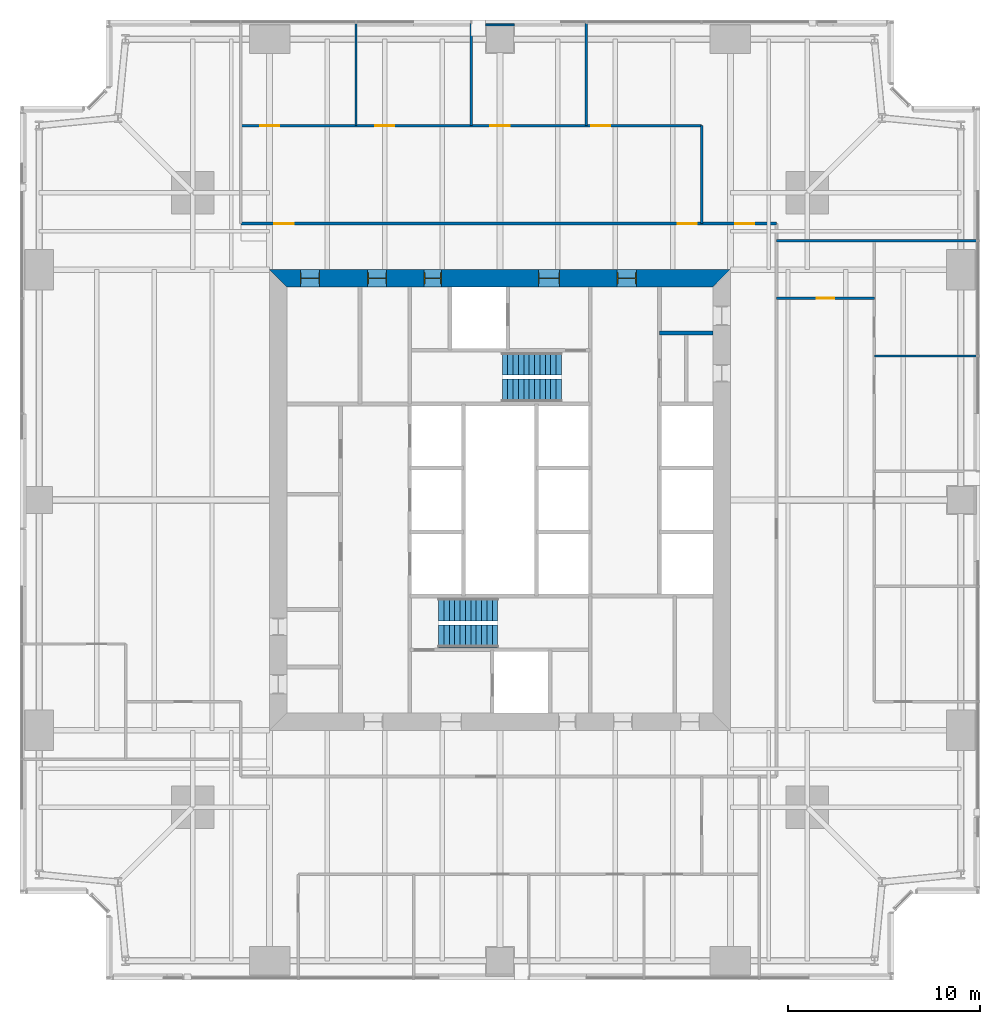
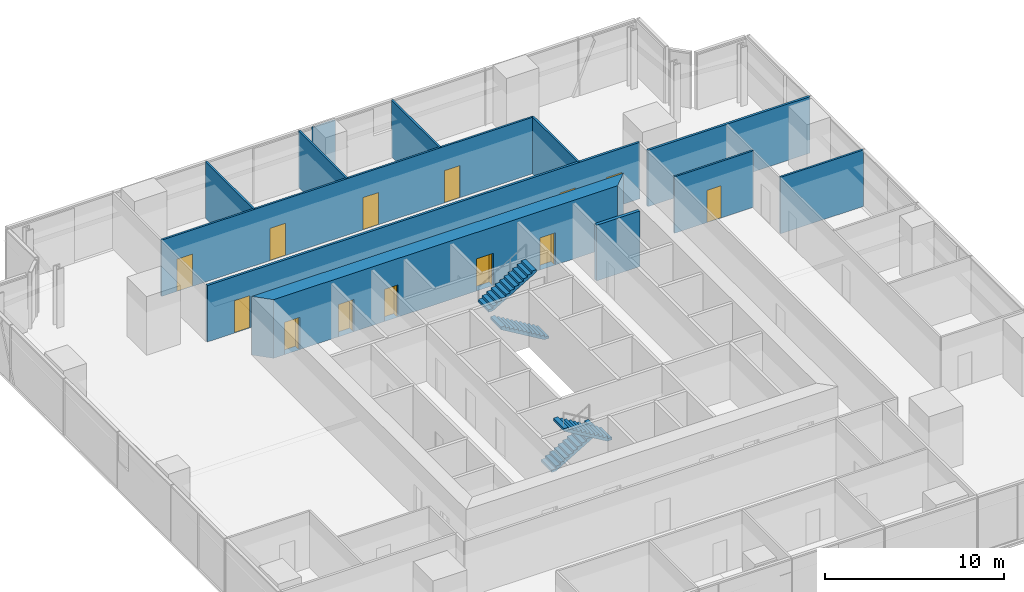
# One storey, part 11 of 13: 13 doors, 12 walls, 4 stair flights, 13 openings, 2 elements without a shape of their own.
"""IFC4 building model written with IfcOpenShell, lengths in metres."""

from ifc_helpers import new_model, si_unit, direction, frame, frame_2d, origin, place, context, subcontext, project, spatial, polyline, rectangle, outline, extrude, material, layer, layer_set, type_object, element, fill, aggregate, save


model = new_model("IFC4")

# Units and contexts
model_context = context("Model", 3, precision=1e-05, world=origin(), true_north=direction((0.0, 1.0)))
body_context = subcontext(model_context, "Body", "Model", "MODEL_VIEW")
ifc_project = project(units=[si_unit("LENGTHUNIT", "METRE"), si_unit("AREAUNIT", "SQUARE_METRE"), si_unit("VOLUMEUNIT", "CUBIC_METRE"), si_unit("PLANEANGLEUNIT", "RADIAN"), si_unit("MASSUNIT", "GRAM", prefix="KILO")], contexts=[model_context])

# Site, building, storey
site_placement = place(None, origin())
site = spatial("IfcSite", under=ifc_project, at=site_placement, CompositionType="ELEMENT")
building_placement = place(site_placement, origin())
building = spatial("IfcBuilding", under=site, at=building_placement, Name="Fenwick Lantern Interchange", CompositionType="ELEMENT")
storey_placement = place(building_placement, frame((0.0, 0.0, 110.39990234375)))
storey = spatial("IfcBuildingStorey", under=building, at=storey_placement, Name="L25", CompositionType="ELEMENT", Elevation=110.39990234375)

# Walls
ifc_material_1 = material(Name="Fire-rated gypsum board encasement on steel studs, 2 hour", Category="steel")
ifc_layer_1 = layer(ifc_material_1, 1.5)
ifc_layer_set_1 = layer_set([ifc_layer_1], Name="COLUMN PIER 1500")
wall_type_1 = type_object("IfcWallType", Name="COLUMN PIER 1500", PredefinedType="PARTITIONING", material=ifc_layer_set_1)
wall_1_placement = place(storey_placement, frame((25.0, 49.800048828125, 0.0), z_axis=(0.0, 0.0, 1.0), x_axis=(0.0, -1.0, 0.0)))
element("IfcWall", 1, at=wall_1_placement, inside=storey, type_object=wall_type_1, Name="L25/W/PIER/CN3", PredefinedType="PARTITIONING", context=body_context, shape_type="SweptSolid", body=[
    extrude(rectangle(XDim=0.10009765625, YDim=1.5, at=frame_2d((0.050048828125, 0.0))), origin(), (0.0, 0.0, 1.0), 3.85009765625),
])
ifc_material_2 = material(Name="Concrete masonry ASTM C90 Grade N", Category="masonry")
ifc_layer_2 = layer(ifc_material_2, 0.199951171875)
ifc_layer_set_2 = layer_set([ifc_layer_2], Name="Concrete masonry ASTM C90 Grade N")
wall_type_2 = type_object("IfcWallType", Name="CORE PARTITION 200", PredefinedType="PARTITIONING", material=ifc_layer_set_2)
wall_2_placement = place(storey_placement, frame((36.10009765625, 33.699951171875, 0.0), z_axis=(0.0, 0.0, 1.0), x_axis=(-1.0, 0.0, 0.0)))
element("IfcWall", 2, at=wall_2_placement, inside=storey, type_object=wall_type_2, Name="L25/W/COREN/p1", PredefinedType="PARTITIONING", context=body_context, shape_type="SweptSolid", body=[
    extrude(rectangle(XDim=2.800048828125, YDim=0.199951171875, at=frame_2d((1.39990234375, 0.0))), origin(), (0.0, 0.0, 1.0), 3.800048828125),
])

# Wall, openings, doors
ifc_material_3 = material(Name="Concrete f'c 70 MPa", Category="concrete")
ifc_layer_3 = layer(ifc_material_3, 0.89990234375)
ifc_layer_set_3 = layer_set([ifc_layer_3], Name="CORE WALL 900")
wall_type_3 = type_object("IfcWallType", Name="CORE WALL 900", PredefinedType="SHEAR", material=ifc_layer_set_3)
wall_3_placement = place(storey_placement, frame((37.0, 36.550048828125, 0.0), z_axis=(0.0, 0.0, 1.0), x_axis=(-1.0, 0.0, 0.0)))
wall_3 = element("IfcWall", 3, at=wall_3_placement, inside=storey, type_object=wall_type_3, Name="L25/CORE/N", PredefinedType="SHEAR", context=body_context, shape_type="SweptSolid", body=[
    extrude(outline(polyline([(0.0, -0.449951171875), (24.0, -0.449951171875), (23.10009765625, 0.449951171875), (0.89990234375, 0.449951171875), (0.0, -0.449951171875)])), origin(), (0.0, 0.0, 1.0), 4.0),
])
opening_1_placement = place(wall_3_placement, frame((4.89990234375, 0.0, 0.0)))
opening_1 = element("IfcOpeningElement", 4, at=opening_1_placement, cuts=wall_3, Name="Opening L25-D011", PredefinedType="OPENING", context=body_context, shape_type="SweptSolid", body=[
    extrude(rectangle(XDim=1.0, YDim=2.199951171875, at=frame_2d((0.5, 1.10009765625))), frame((0.0, 0.4599609375, 0.0), z_axis=(0.0, -1.0, 0.0), x_axis=(1.0, 0.0, 0.0)), (0.0, 0.0, 1.0), 0.919921875),
])
opening_2_placement = place(wall_3_placement, frame((8.89990234375, 0.0, 0.0)))
opening_2 = element("IfcOpeningElement", 5, at=opening_2_placement, cuts=wall_3, Name="Opening L25-D012", PredefinedType="OPENING", context=body_context, shape_type="SweptSolid", body=[
    extrude(rectangle(XDim=1.10009765625, YDim=2.199951171875, at=frame_2d((0.550048828125, 1.10009765625))), frame((0.0, 0.4599609375, 0.0), z_axis=(0.0, -1.0, 0.0), x_axis=(1.0, 0.0, 0.0)), (0.0, 0.0, 1.0), 0.919921875),
])
opening_3_placement = place(wall_3_placement, frame((15.050048828125, 0.0, 0.0)))
opening_3 = element("IfcOpeningElement", 6, at=opening_3_placement, cuts=wall_3, Name="Opening L25-D014", PredefinedType="OPENING", context=body_context, shape_type="SweptSolid", body=[
    extrude(rectangle(XDim=0.89990234375, YDim=2.199951171875, at=frame_2d((0.449951171875, 1.10009765625))), frame((0.0, 0.4599609375, 0.0), z_axis=(0.0, -1.0, 0.0), x_axis=(1.0, 0.0, 0.0)), (0.0, 0.0, 1.0), 0.919921875),
])
opening_4_placement = place(wall_3_placement, frame((17.89990234375, 0.0, 0.0)))
opening_4 = element("IfcOpeningElement", 7, at=opening_4_placement, cuts=wall_3, Name="Opening L25-D015", PredefinedType="OPENING", context=body_context, shape_type="SweptSolid", body=[
    extrude(rectangle(XDim=1.0, YDim=2.199951171875, at=frame_2d((0.5, 1.10009765625))), frame((0.0, 0.4599609375, 0.0), z_axis=(0.0, -1.0, 0.0), x_axis=(1.0, 0.0, 0.0)), (0.0, 0.0, 1.0), 0.919921875),
])
opening_5_placement = place(wall_3_placement, frame((21.39990234375, 0.0, 0.0)))
opening_5 = element("IfcOpeningElement", 8, at=opening_5_placement, cuts=wall_3, Name="Opening L25-D016", PredefinedType="OPENING", context=body_context, shape_type="SweptSolid", body=[
    extrude(rectangle(XDim=1.0, YDim=2.199951171875, at=frame_2d((0.5, 1.10009765625))), frame((0.0, 0.4599609375, 0.0), z_axis=(0.0, -1.0, 0.0), x_axis=(1.0, 0.0, 0.0)), (0.0, 0.0, 1.0), 0.919921875),
])
ifc_material_4 = material(Name="Steel door and frame", Category="steel")
door_type_1 = type_object("IfcDoorType", Name="CORE LOBBY DOOR 1000 X 2200", OperationType="SINGLE_SWING_LEFT", PredefinedType="DOOR", material=ifc_material_4)
door_1_placement = place(opening_1_placement, origin())
door_1 = element("IfcDoor", 9, at=door_1_placement, inside=storey, type_object=door_type_1, Name="Core lobby door", OperationType="SINGLE_SWING_LEFT", OverallHeight=2.199951171875, OverallWidth=1.0, PredefinedType="DOOR", context=body_context, shape_type="SweptSolid", body=[
    extrude(rectangle(XDim=1.0, YDim=2.199951171875, at=frame_2d((0.5, 1.10009765625))), frame((0.0, 0.02490234375, 0.0), z_axis=(0.0, -1.0, 0.0), x_axis=(1.0, 0.0, 0.0)), (0.0, 0.0, 1.0), 0.050048828125),
    extrude(outline(polyline([(0.0, 0.0), (0.0400390625, 0.0), (0.0400390625, 2.159912109375), (0.9599609375, 2.159912109375), (0.9599609375, 0.0), (1.0, 0.0), (1.0, 2.199951171875), (0.0, 2.199951171875), (0.0, 0.0)])), frame((0.0, 0.300048828125, 0.0), z_axis=(0.0, -1.0, 0.0), x_axis=(1.0, 0.0, 0.0)), (0.0, 0.0, 1.0), 0.60009765625),
])
fill(opening_1, door_1)
door_type_2 = type_object("IfcDoorType", Name="FIRE LOBBY DOOR 1100 X 2200", OperationType="SINGLE_SWING_LEFT", PredefinedType="DOOR", material=ifc_material_4)
door_2_placement = place(opening_2_placement, origin())
door_2 = element("IfcDoor", 10, at=door_2_placement, inside=storey, type_object=door_type_2, Name="Fire lobby door", OperationType="SINGLE_SWING_LEFT", OverallHeight=2.199951171875, OverallWidth=1.10009765625, PredefinedType="DOOR", context=body_context, shape_type="SweptSolid", body=[
    extrude(rectangle(XDim=1.10009765625, YDim=2.199951171875, at=frame_2d((0.550048828125, 1.10009765625))), frame((0.0, 0.02490234375, 0.0), z_axis=(0.0, -1.0, 0.0), x_axis=(1.0, 0.0, 0.0)), (0.0, 0.0, 1.0), 0.050048828125),
    extrude(outline(polyline([(0.0, 0.0), (0.0400390625, 0.0), (0.0400390625, 2.159912109375), (1.06005859375, 2.159912109375), (1.06005859375, 0.0), (1.10009765625, 0.0), (1.10009765625, 2.199951171875), (0.0, 2.199951171875), (0.0, 0.0)])), frame((0.0, 0.300048828125, 0.0), z_axis=(0.0, -1.0, 0.0), x_axis=(1.0, 0.0, 0.0)), (0.0, 0.0, 1.0), 0.60009765625),
])
fill(opening_2, door_2)
door_type_3 = type_object("IfcDoorType", Name="SERVICE DOOR 900 X 2200", OperationType="SINGLE_SWING_LEFT", PredefinedType="DOOR", material=ifc_material_4)
door_3_placement = place(opening_3_placement, origin())
door_3 = element("IfcDoor", 11, at=door_3_placement, inside=storey, type_object=door_type_3, Name="Service door", OperationType="SINGLE_SWING_LEFT", OverallHeight=2.199951171875, OverallWidth=0.89990234375, PredefinedType="DOOR", context=body_context, shape_type="SweptSolid", body=[
    extrude(rectangle(XDim=0.89990234375, YDim=2.199951171875, at=frame_2d((0.449951171875, 1.10009765625))), frame((0.0, 0.02490234375, 0.0), z_axis=(0.0, -1.0, 0.0), x_axis=(1.0, 0.0, 0.0)), (0.0, 0.0, 1.0), 0.050048828125),
    extrude(outline(polyline([(0.0, 0.0), (0.0400390625, 0.0), (0.0400390625, 2.159912109375), (0.85986328125, 2.159912109375), (0.85986328125, 0.0), (0.89990234375, 0.0), (0.89990234375, 2.199951171875), (0.0, 2.199951171875), (0.0, 0.0)])), frame((0.0, 0.300048828125, 0.0), z_axis=(0.0, -1.0, 0.0), x_axis=(1.0, 0.0, 0.0)), (0.0, 0.0, 1.0), 0.60009765625),
])
fill(opening_3, door_3)
ifc_material_5 = material(Name="Hardwood door and steel frame", Category="steel")
door_type_4 = type_object("IfcDoorType", Name="WC DOOR 1000 X 2200", OperationType="SINGLE_SWING_LEFT", PredefinedType="DOOR", material=ifc_material_5)
door_4_placement = place(opening_4_placement, origin())
door_4 = element("IfcDoor", 12, at=door_4_placement, inside=storey, type_object=door_type_4, Name="Wc door", OperationType="SINGLE_SWING_RIGHT", OverallHeight=2.199951171875, OverallWidth=1.0, PredefinedType="DOOR", context=body_context, shape_type="SweptSolid", body=[
    extrude(rectangle(XDim=1.0, YDim=2.199951171875, at=frame_2d((0.5, 1.10009765625))), frame((0.0, 0.02490234375, 0.0), z_axis=(0.0, -1.0, 0.0), x_axis=(1.0, 0.0, 0.0)), (0.0, 0.0, 1.0), 0.050048828125),
    extrude(outline(polyline([(0.0, 0.0), (0.0400390625, 0.0), (0.0400390625, 2.159912109375), (0.9599609375, 2.159912109375), (0.9599609375, 0.0), (1.0, 0.0), (1.0, 2.199951171875), (0.0, 2.199951171875), (0.0, 0.0)])), frame((0.0, 0.300048828125, 0.0), z_axis=(0.0, -1.0, 0.0), x_axis=(1.0, 0.0, 0.0)), (0.0, 0.0, 1.0), 0.60009765625),
])
fill(opening_4, door_4)
door_5_placement = place(opening_5_placement, origin())
door_5 = element("IfcDoor", 13, at=door_5_placement, inside=storey, type_object=door_type_4, Name="Wc door", OperationType="SINGLE_SWING_RIGHT", OverallHeight=2.199951171875, OverallWidth=1.0, PredefinedType="DOOR", context=body_context, shape_type="SweptSolid", body=[
    extrude(rectangle(XDim=1.0, YDim=2.199951171875, at=frame_2d((0.5, 1.10009765625))), frame((0.0, 0.02490234375, 0.0), z_axis=(0.0, -1.0, 0.0), x_axis=(1.0, 0.0, 0.0)), (0.0, 0.0, 1.0), 0.050048828125),
    extrude(outline(polyline([(0.0, 0.0), (0.0400390625, 0.0), (0.0400390625, 2.159912109375), (0.9599609375, 2.159912109375), (0.9599609375, 0.0), (1.0, 0.0), (1.0, 2.199951171875), (0.0, 2.199951171875), (0.0, 0.0)])), frame((0.0, 0.300048828125, 0.0), z_axis=(0.0, -1.0, 0.0), x_axis=(1.0, 0.0, 0.0)), (0.0, 0.0, 1.0), 0.60009765625),
])
fill(opening_5, door_5)

ifc_material_6 = material(Name="Gypsum board on steel studs, 1 hour", Category="steel")
ifc_layer_4 = layer(ifc_material_6, 0.14990234375)
ifc_layer_set_4 = layer_set([ifc_layer_4], Name="CORRIDOR WALL 150")
wall_type_4 = type_object("IfcWallType", Name="CORRIDOR WALL 150", PredefinedType="PARTITIONING", material=ifc_layer_set_4)
wall_4_placement = place(storey_placement, frame((39.39990234375, 39.39990234375, 0.0), z_axis=(0.0, 0.0, 1.0), x_axis=(-1.0, 0.0, 0.0)))
wall_4 = element("IfcWall", 14, at=wall_4_placement, inside=storey, type_object=wall_type_4, Name="L25/W/OFF/N/CW2", PredefinedType="PARTITIONING", context=body_context, shape_type="SweptSolid", body=[
    extrude(rectangle(XDim=27.89990234375, YDim=0.14990234375, at=frame_2d((13.949951171875, 0.0))), origin(), (0.0, 0.0, 1.0), 3.85009765625),
])
opening_6_placement = place(wall_4_placement, frame((4.14990234375, 0.0, 0.0)))
opening_6 = element("IfcOpeningElement", 15, at=opening_6_placement, cuts=wall_4, Name="Opening L25-D032", PredefinedType="OPENING", context=body_context, shape_type="SweptSolid", body=[
    extrude(rectangle(XDim=1.0, YDim=2.199951171875, at=frame_2d((0.5, 1.10009765625))), frame((0.0, 0.0849609375, 0.0), z_axis=(0.0, -1.0, 0.0), x_axis=(1.0, 0.0, 0.0)), (0.0, 0.0, 1.0), 0.169921875),
])
opening_7_placement = place(wall_4_placement, frame((25.14990234375, 0.0, 0.0)))
opening_7 = element("IfcOpeningElement", 16, at=opening_7_placement, cuts=wall_4, Name="Opening L25-D033", PredefinedType="OPENING", context=body_context, shape_type="SweptSolid", body=[
    extrude(rectangle(XDim=1.0, YDim=2.199951171875, at=frame_2d((0.5, 1.10009765625))), frame((0.0, 0.0849609375, 0.0), z_axis=(0.0, -1.0, 0.0), x_axis=(1.0, 0.0, 0.0)), (0.0, 0.0, 1.0), 0.169921875),
])
opening_8_placement = place(wall_4_placement, frame((1.14990234375, 0.0, 0.0)))
opening_8 = element("IfcOpeningElement", 17, at=opening_8_placement, cuts=wall_4, Name="Opening L25-D035", PredefinedType="OPENING", context=body_context, shape_type="SweptSolid", body=[
    extrude(rectangle(XDim=1.0, YDim=2.199951171875, at=frame_2d((0.5, 1.10009765625))), frame((0.0, 0.0849609375, 0.0), z_axis=(0.0, -1.0, 0.0), x_axis=(1.0, 0.0, 0.0)), (0.0, 0.0, 1.0), 0.169921875),
])
door_type_5 = type_object("IfcDoorType", Name="MEETING ROOM DOOR 1000 X 2200", OperationType="SINGLE_SWING_LEFT", PredefinedType="DOOR", material=ifc_material_5)
door_6_placement = place(opening_8_placement, origin())
door_6 = element("IfcDoor", 18, at=door_6_placement, inside=storey, type_object=door_type_5, Name="Meeting room door", OperationType="SINGLE_SWING_LEFT", OverallHeight=2.199951171875, OverallWidth=1.0, PredefinedType="DOOR", context=body_context, shape_type="SweptSolid", body=[
    extrude(rectangle(XDim=1.0, YDim=2.199951171875, at=frame_2d((0.5, 1.10009765625))), frame((0.0, 0.02490234375, 0.0), z_axis=(0.0, -1.0, 0.0), x_axis=(1.0, 0.0, 0.0)), (0.0, 0.0, 1.0), 0.050048828125),
])
fill(opening_8, door_6)
door_type_6 = type_object("IfcDoorType", Name="SUITE ENTRANCE DOOR 1000 X 2200", OperationType="SINGLE_SWING_LEFT", PredefinedType="DOOR", material=ifc_material_4)
door_7_placement = place(opening_6_placement, origin())
door_7 = element("IfcDoor", 19, at=door_7_placement, inside=storey, type_object=door_type_6, Name="Suite entrance door", OperationType="SINGLE_SWING_LEFT", OverallHeight=2.199951171875, OverallWidth=1.0, PredefinedType="DOOR", context=body_context, shape_type="SweptSolid", body=[
    extrude(rectangle(XDim=1.0, YDim=2.199951171875, at=frame_2d((0.5, 1.10009765625))), frame((0.0, 0.02490234375, 0.0), z_axis=(0.0, -1.0, 0.0), x_axis=(1.0, 0.0, 0.0)), (0.0, 0.0, 1.0), 0.050048828125),
])
fill(opening_6, door_7)
door_8_placement = place(opening_7_placement, origin())
door_8 = element("IfcDoor", 20, at=door_8_placement, inside=storey, type_object=door_type_6, Name="Suite entrance door", OperationType="SINGLE_SWING_RIGHT", OverallHeight=2.199951171875, OverallWidth=1.0, PredefinedType="DOOR", context=body_context, shape_type="SweptSolid", body=[
    extrude(rectangle(XDim=1.0, YDim=2.199951171875, at=frame_2d((0.5, 1.10009765625))), frame((0.0, 0.02490234375, 0.0), z_axis=(0.0, -1.0, 0.0), x_axis=(1.0, 0.0, 0.0)), (0.0, 0.0, 1.0), 0.050048828125),
])
fill(opening_7, door_8)

# Wall
ifc_material_7 = material(Name="Gypsum board on steel studs, acoustic", Category="steel")
ifc_layer_5 = layer(ifc_material_7, 0.125)
ifc_layer_set_5 = layer_set([ifc_layer_5], Name="OFFICE PARTITION 125")
wall_type_5 = type_object("IfcWallType", Name="OFFICE PARTITION 125", PredefinedType="PARTITIONING", material=ifc_layer_set_5)
wall_5_placement = place(storey_placement, frame((49.85009765625, 32.5, 0.0), z_axis=(0.0, 0.0, 1.0), x_axis=(-1.0, 0.0, 0.0)))
element("IfcWall", 21, at=wall_5_placement, inside=storey, type_object=wall_type_5, Name="L25/W/OFF/E/X325-1", PredefinedType="PARTITIONING", context=body_context, shape_type="SweptSolid", body=[
    extrude(rectangle(XDim=5.35009765625, YDim=0.125, at=frame_2d((2.675048828125, 0.0))), origin(), (0.0, 0.0, 1.0), 3.85009765625),
])

# Wall, opening, door
wall_6_placement = place(storey_placement, frame((44.5, 35.5, 0.0), z_axis=(0.0, 0.0, 1.0), x_axis=(-1.0, 0.0, 0.0)))
wall_6 = element("IfcWall", 22, at=wall_6_placement, inside=storey, type_object=wall_type_5, Name="L25/W/OFF/E/X355-1", PredefinedType="PARTITIONING", context=body_context, shape_type="SweptSolid", body=[
    extrude(rectangle(XDim=5.10009765625, YDim=0.125, at=frame_2d((2.550048828125, 0.0))), origin(), (0.0, 0.0, 1.0), 3.85009765625),
])
opening_9_placement = place(wall_6_placement, frame((2.10009765625, 0.0, 0.0)))
opening_9 = element("IfcOpeningElement", 23, at=opening_9_placement, cuts=wall_6, Name="Opening L25-D031", PredefinedType="OPENING", context=body_context, shape_type="SweptSolid", body=[
    extrude(rectangle(XDim=0.89990234375, YDim=2.199951171875, at=frame_2d((0.449951171875, 1.10009765625))), frame((0.0, 0.072509765625, 0.0), z_axis=(0.0, -1.0, 0.0), x_axis=(1.0, 0.0, 0.0)), (0.0, 0.0, 1.0), 0.14501953125),
])
door_type_7 = type_object("IfcDoorType", Name="OFFICE DOOR 900 X 2200", OperationType="SINGLE_SWING_LEFT", PredefinedType="DOOR", material=ifc_material_5)
door_9_placement = place(opening_9_placement, frame((0.89990234375, 0.0, 0.0), z_axis=(0.0, 0.0, 1.0), x_axis=(-1.0, 0.0, 0.0)))
door_9 = element("IfcDoor", 24, at=door_9_placement, inside=storey, type_object=door_type_7, Name="Office door", OperationType="SINGLE_SWING_RIGHT", OverallHeight=2.199951171875, OverallWidth=0.89990234375, PredefinedType="DOOR", context=body_context, shape_type="SweptSolid", body=[
    extrude(rectangle(XDim=0.89990234375, YDim=2.199951171875, at=frame_2d((0.449951171875, 1.10009765625))), frame((0.0, 0.02490234375, 0.0), z_axis=(0.0, -1.0, 0.0), x_axis=(1.0, 0.0, 0.0)), (0.0, 0.0, 1.0), 0.050048828125),
])
fill(opening_9, door_9)

# Walls
wall_7_placement = place(storey_placement, frame((35.5, 44.5, 0.0), z_axis=(0.0, 0.0, 1.0), x_axis=(0.0, -1.0, 0.0)))
element("IfcWall", 25, at=wall_7_placement, inside=storey, type_object=wall_type_5, Name="L25/W/OFF/N/X145-1", PredefinedType="PARTITIONING", context=body_context, shape_type="SweptSolid", body=[
    extrude(rectangle(XDim=5.10009765625, YDim=0.125, at=frame_2d((2.550048828125, 0.0))), origin(), (0.0, 0.0, 1.0), 3.85009765625),
])
for number, where, z_axis, x_axis, name in (
    (26, (29.5, 49.85009765625, 0.0), (0.0, 0.0, 1.0), (0.0, -1.0, 0.0), "L25/W/OFF/N/X205-1"),
    (27, (23.5, 49.85009765625, 0.0), (0.0, 0.0, 1.0), (0.0, -1.0, 0.0), "L25/W/OFF/N/X265-1"),
    (28, (17.5, 49.85009765625, 0.0), (0.0, 0.0, 1.0), (0.0, -1.0, 0.0), "L25/W/OFF/N/X325-1"),
):
    element("IfcWall", number, at=place(storey_placement, frame(where, z_axis=z_axis, x_axis=x_axis)), inside=storey, type_object=wall_type_5, Name=name, PredefinedType="PARTITIONING", context=body_context, shape_type="SweptSolid", body=[
        extrude(rectangle(XDim=5.35009765625, YDim=0.125, at=frame_2d((2.675048828125, 0.0))), origin(), (0.0, 0.0, 1.0), 3.85009765625),
    ])

# Wall, openings, doors
wall_8_placement = place(storey_placement, frame((35.5, 44.5, 0.0), z_axis=(0.0, 0.0, 1.0), x_axis=(-1.0, 0.0, 0.0)))
wall_8 = element("IfcWall", 29, at=wall_8_placement, inside=storey, type_object=wall_type_5, Name="L25/W/OFF/N/Y55-1", PredefinedType="PARTITIONING", context=body_context, shape_type="SweptSolid", body=[
    extrude(rectangle(XDim=24.0, YDim=0.125, at=frame_2d((12.0, 0.0))), origin(), (0.0, 0.0, 1.0), 3.85009765625),
])
opening_10_placement = place(wall_8_placement, frame((4.75, 0.0, 0.0)))
opening_10 = element("IfcOpeningElement", 30, at=opening_10_placement, cuts=wall_8, Name="Opening L25-D034", PredefinedType="OPENING", context=body_context, shape_type="SweptSolid", body=[
    extrude(rectangle(XDim=1.0, YDim=2.199951171875, at=frame_2d((0.5, 1.10009765625))), frame((0.0, 0.072509765625, 0.0), z_axis=(0.0, -1.0, 0.0), x_axis=(1.0, 0.0, 0.0)), (0.0, 0.0, 1.0), 0.14501953125),
])
opening_11_placement = place(wall_8_placement, frame((10.0, 0.0, 0.0)))
opening_11 = element("IfcOpeningElement", 31, at=opening_11_placement, cuts=wall_8, Name="Opening L25-D036", PredefinedType="OPENING", context=body_context, shape_type="SweptSolid", body=[
    extrude(rectangle(XDim=1.0, YDim=2.199951171875, at=frame_2d((0.5, 1.10009765625))), frame((0.0, 0.072509765625, 0.0), z_axis=(0.0, -1.0, 0.0), x_axis=(1.0, 0.0, 0.0)), (0.0, 0.0, 1.0), 0.14501953125),
])
opening_12_placement = place(wall_8_placement, frame((16.0, 0.0, 0.0)))
opening_12 = element("IfcOpeningElement", 32, at=opening_12_placement, cuts=wall_8, Name="Opening L25-D037", PredefinedType="OPENING", context=body_context, shape_type="SweptSolid", body=[
    extrude(rectangle(XDim=1.0, YDim=2.199951171875, at=frame_2d((0.5, 1.10009765625))), frame((0.0, 0.072509765625, 0.0), z_axis=(0.0, -1.0, 0.0), x_axis=(1.0, 0.0, 0.0)), (0.0, 0.0, 1.0), 0.14501953125),
])
opening_13_placement = place(wall_8_placement, frame((22.0, 0.0, 0.0)))
opening_13 = element("IfcOpeningElement", 33, at=opening_13_placement, cuts=wall_8, Name="Opening L25-D038", PredefinedType="OPENING", context=body_context, shape_type="SweptSolid", body=[
    extrude(rectangle(XDim=1.0, YDim=2.199951171875, at=frame_2d((0.5, 1.10009765625))), frame((0.0, 0.072509765625, 0.0), z_axis=(0.0, -1.0, 0.0), x_axis=(1.0, 0.0, 0.0)), (0.0, 0.0, 1.0), 0.14501953125),
])
door_10_placement = place(opening_10_placement, origin())
door_10 = element("IfcDoor", 34, at=door_10_placement, inside=storey, type_object=door_type_5, Name="Meeting room door", OperationType="SINGLE_SWING_LEFT", OverallHeight=2.199951171875, OverallWidth=1.0, PredefinedType="DOOR", context=body_context, shape_type="SweptSolid", body=[
    extrude(rectangle(XDim=1.0, YDim=2.199951171875, at=frame_2d((0.5, 1.10009765625))), frame((0.0, 0.02490234375, 0.0), z_axis=(0.0, -1.0, 0.0), x_axis=(1.0, 0.0, 0.0)), (0.0, 0.0, 1.0), 0.050048828125),
])
fill(opening_10, door_10)
door_11_placement = place(opening_11_placement, frame((1.0, 0.0, 0.0), z_axis=(0.0, 0.0, 1.0), x_axis=(-1.0, 0.0, 0.0)))
door_11 = element("IfcDoor", 35, at=door_11_placement, inside=storey, type_object=door_type_5, Name="Meeting room door", OperationType="SINGLE_SWING_LEFT", OverallHeight=2.199951171875, OverallWidth=1.0, PredefinedType="DOOR", context=body_context, shape_type="SweptSolid", body=[
    extrude(rectangle(XDim=1.0, YDim=2.199951171875, at=frame_2d((0.5, 1.10009765625))), frame((0.0, 0.02490234375, 0.0), z_axis=(0.0, -1.0, 0.0), x_axis=(1.0, 0.0, 0.0)), (0.0, 0.0, 1.0), 0.050048828125),
])
fill(opening_11, door_11)
door_12_placement = place(opening_12_placement, frame((1.0, 0.0, 0.0), z_axis=(0.0, 0.0, 1.0), x_axis=(-1.0, 0.0, 0.0)))
door_12 = element("IfcDoor", 36, at=door_12_placement, inside=storey, type_object=door_type_5, Name="Meeting room door", OperationType="SINGLE_SWING_LEFT", OverallHeight=2.199951171875, OverallWidth=1.0, PredefinedType="DOOR", context=body_context, shape_type="SweptSolid", body=[
    extrude(rectangle(XDim=1.0, YDim=2.199951171875, at=frame_2d((0.5, 1.10009765625))), frame((0.0, 0.02490234375, 0.0), z_axis=(0.0, -1.0, 0.0), x_axis=(1.0, 0.0, 0.0)), (0.0, 0.0, 1.0), 0.050048828125),
])
fill(opening_12, door_12)
door_13_placement = place(opening_13_placement, frame((1.0, 0.0, 0.0), z_axis=(0.0, 0.0, 1.0), x_axis=(-1.0, 0.0, 0.0)))
door_13 = element("IfcDoor", 37, at=door_13_placement, inside=storey, type_object=door_type_5, Name="Meeting room door", OperationType="SINGLE_SWING_LEFT", OverallHeight=2.199951171875, OverallWidth=1.0, PredefinedType="DOOR", context=body_context, shape_type="SweptSolid", body=[
    extrude(rectangle(XDim=1.0, YDim=2.199951171875, at=frame_2d((0.5, 1.10009765625))), frame((0.0, 0.02490234375, 0.0), z_axis=(0.0, -1.0, 0.0), x_axis=(1.0, 0.0, 0.0)), (0.0, 0.0, 1.0), 0.050048828125),
])
fill(opening_13, door_13)

# Wall
ifc_material_8 = material(Name="Gypsum board on steel studs, 1 hour acoustic", Category="steel")
ifc_layer_6 = layer(ifc_material_8, 0.14990234375)
ifc_layer_set_6 = layer_set([ifc_layer_6], Name="TENANT WALL 150")
wall_type_6 = type_object("IfcWallType", Name="TENANT WALL 150", PredefinedType="PARTITIONING", material=ifc_layer_set_6)
wall_9_placement = place(storey_placement, frame((49.85009765625, 38.5, 0.0), z_axis=(0.0, 0.0, 1.0), x_axis=(-1.0, 0.0, 0.0)))
element("IfcWall", 38, at=wall_9_placement, inside=storey, type_object=wall_type_6, Name="L25/W/OFF/N/BACK", PredefinedType="PARTITIONING", context=body_context, shape_type="SweptSolid", body=[
    extrude(rectangle(XDim=10.4501953125, YDim=0.14990234375, at=frame_2d((5.22509765625, 0.0))), origin(), (0.0, 0.0, 1.0), 3.85009765625),
])

# Stair, stair flights
ifc_material_9 = material(Name="Precast concrete f'c 35 MPa", Category="concrete")
stair_type = type_object("IfcStairType", Name="EXIT STAIR 1200", PredefinedType="HALF_TURN_STAIR", material=ifc_material_9)
stair_1_placement = place(storey_placement, origin())
stair_1 = element("IfcStair", 39, at=stair_1_placement, inside=storey, type_object=stair_type, Name="Exit stair ST1", PredefinedType="HALF_TURN_STAIR")
stair_flight_type = type_object("IfcStairFlightType", Name="STAIR FLIGHT 1200", PredefinedType="STRAIGHT", material=ifc_material_9)
stair_flight_1_placement = place(storey_placement, frame((21.800048828125, 19.300048828125, 0.0), z_axis=(0.0, 0.0, 1.0), x_axis=(1.0, 0.0, 0.0)))
stair_flight_1 = element("IfcStairFlight", 40, at=stair_flight_1_placement, type_object=stair_flight_type, Name="ST1 flight 1", NumberOfRisers=12, NumberOfTreads=11, PredefinedType="STRAIGHT", RiserHeight=0.166666667, TreadLength=0.28, context=body_context, shape_type="SweptSolid", body=[
    extrude(outline(polyline([(0.0, 0.0), (0.0, 0.166748046875), (0.280029296875, 0.166748046875), (0.280029296875, 0.333251953125), (0.56005859375, 0.333251953125), (0.56005859375, 0.5), (0.840087890625, 0.5), (0.840087890625, 0.666748046875), (1.1201171875, 0.666748046875), (1.1201171875, 0.833251953125), (1.39990234375, 0.833251953125), (1.39990234375, 1.0), (1.679931640625, 1.0), (1.679931640625, 1.166748046875), (1.9599609375, 1.166748046875), (1.9599609375, 1.333251953125), (2.239990234375, 1.333251953125), (2.239990234375, 1.5), (2.52001953125, 1.5), (2.52001953125, 1.666748046875), (2.800048828125, 1.666748046875), (2.800048828125, 1.833251953125), (3.080078125, 1.833251953125), (3.080078125, 2.0), (3.080078125, 1.658935546875), (0.29296875, 0.0), (0.0, 0.0)])), frame((0.0, 0.60009765625, 0.0), z_axis=(0.0, -1.0, 0.0), x_axis=(1.0, 0.0, 0.0)), (0.0, 0.0, 1.0), 1.199951171875),
])
stair_flight_2_placement = place(storey_placement, frame((24.8798828125, 17.89990234375, 2.0), z_axis=(0.0, 0.0, 1.0), x_axis=(-1.0, 0.0, 0.0)))
stair_flight_2 = element("IfcStairFlight", 41, at=stair_flight_2_placement, type_object=stair_flight_type, Name="ST1 flight 2", NumberOfRisers=12, NumberOfTreads=11, PredefinedType="STRAIGHT", RiserHeight=0.166666667, TreadLength=0.28, context=body_context, shape_type="SweptSolid", body=[
    extrude(outline(polyline([(0.0, 0.0), (0.0, 0.166748046875), (0.280029296875, 0.166748046875), (0.280029296875, 0.333251953125), (0.56005859375, 0.333251953125), (0.56005859375, 0.5), (0.840087890625, 0.5), (0.840087890625, 0.666748046875), (1.1201171875, 0.666748046875), (1.1201171875, 0.833251953125), (1.39990234375, 0.833251953125), (1.39990234375, 1.0), (1.679931640625, 1.0), (1.679931640625, 1.166748046875), (1.9599609375, 1.166748046875), (1.9599609375, 1.333251953125), (2.239990234375, 1.333251953125), (2.239990234375, 1.5), (2.52001953125, 1.5), (2.52001953125, 1.666748046875), (2.800048828125, 1.666748046875), (2.800048828125, 1.833251953125), (3.080078125, 1.833251953125), (3.080078125, 2.0), (3.080078125, 1.658935546875), (0.29296875, 0.0), (0.0, 0.0)])), frame((0.0, 0.60009765625, 0.0), z_axis=(0.0, -1.0, 0.0), x_axis=(1.0, 0.0, 0.0)), (0.0, 0.0, 1.0), 1.199951171875),
])
aggregate(stair_1, [stair_flight_1, stair_flight_2])

stair_2_placement = place(storey_placement, origin())
stair_2 = element("IfcStair", 42, at=stair_2_placement, inside=storey, type_object=stair_type, Name="Exit stair ST2", PredefinedType="HALF_TURN_STAIR")
stair_flight_3_placement = place(storey_placement, frame((28.199951171875, 30.699951171875, 0.0), z_axis=(0.0, 0.0, 1.0), x_axis=(-1.0, 0.0, 0.0)))
stair_flight_3 = element("IfcStairFlight", 43, at=stair_flight_3_placement, type_object=stair_flight_type, Name="ST2 flight 1", NumberOfRisers=12, NumberOfTreads=11, PredefinedType="STRAIGHT", RiserHeight=0.166666667, TreadLength=0.28, context=body_context, shape_type="SweptSolid", body=[
    extrude(outline(polyline([(0.0, 0.0), (0.0, 0.166748046875), (0.280029296875, 0.166748046875), (0.280029296875, 0.333251953125), (0.56005859375, 0.333251953125), (0.56005859375, 0.5), (0.840087890625, 0.5), (0.840087890625, 0.666748046875), (1.1201171875, 0.666748046875), (1.1201171875, 0.833251953125), (1.39990234375, 0.833251953125), (1.39990234375, 1.0), (1.679931640625, 1.0), (1.679931640625, 1.166748046875), (1.9599609375, 1.166748046875), (1.9599609375, 1.333251953125), (2.239990234375, 1.333251953125), (2.239990234375, 1.5), (2.52001953125, 1.5), (2.52001953125, 1.666748046875), (2.800048828125, 1.666748046875), (2.800048828125, 1.833251953125), (3.080078125, 1.833251953125), (3.080078125, 2.0), (3.080078125, 1.658935546875), (0.29296875, 0.0), (0.0, 0.0)])), frame((0.0, 0.60009765625, 0.0), z_axis=(0.0, -1.0, 0.0), x_axis=(1.0, 0.0, 0.0)), (0.0, 0.0, 1.0), 1.199951171875),
])
stair_flight_4_placement = place(storey_placement, frame((25.1201171875, 32.10009765625, 2.0), z_axis=(0.0, 0.0, 1.0), x_axis=(1.0, 0.0, 0.0)))
stair_flight_4 = element("IfcStairFlight", 44, at=stair_flight_4_placement, type_object=stair_flight_type, Name="ST2 flight 2", NumberOfRisers=12, NumberOfTreads=11, PredefinedType="STRAIGHT", RiserHeight=0.166666667, TreadLength=0.28, context=body_context, shape_type="SweptSolid", body=[
    extrude(outline(polyline([(0.0, 0.0), (0.0, 0.166748046875), (0.280029296875, 0.166748046875), (0.280029296875, 0.333251953125), (0.56005859375, 0.333251953125), (0.56005859375, 0.5), (0.840087890625, 0.5), (0.840087890625, 0.666748046875), (1.1201171875, 0.666748046875), (1.1201171875, 0.833251953125), (1.39990234375, 0.833251953125), (1.39990234375, 1.0), (1.679931640625, 1.0), (1.679931640625, 1.166748046875), (1.9599609375, 1.166748046875), (1.9599609375, 1.333251953125), (2.239990234375, 1.333251953125), (2.239990234375, 1.5), (2.52001953125, 1.5), (2.52001953125, 1.666748046875), (2.800048828125, 1.666748046875), (2.800048828125, 1.833251953125), (3.080078125, 1.833251953125), (3.080078125, 2.0), (3.080078125, 1.658935546875), (0.29296875, 0.0), (0.0, 0.0)])), frame((0.0, 0.60009765625, 0.0), z_axis=(0.0, -1.0, 0.0), x_axis=(1.0, 0.0, 0.0)), (0.0, 0.0, 1.0), 1.199951171875),
])
aggregate(stair_2, [stair_flight_3, stair_flight_4])

save(model, "model.ifc")
